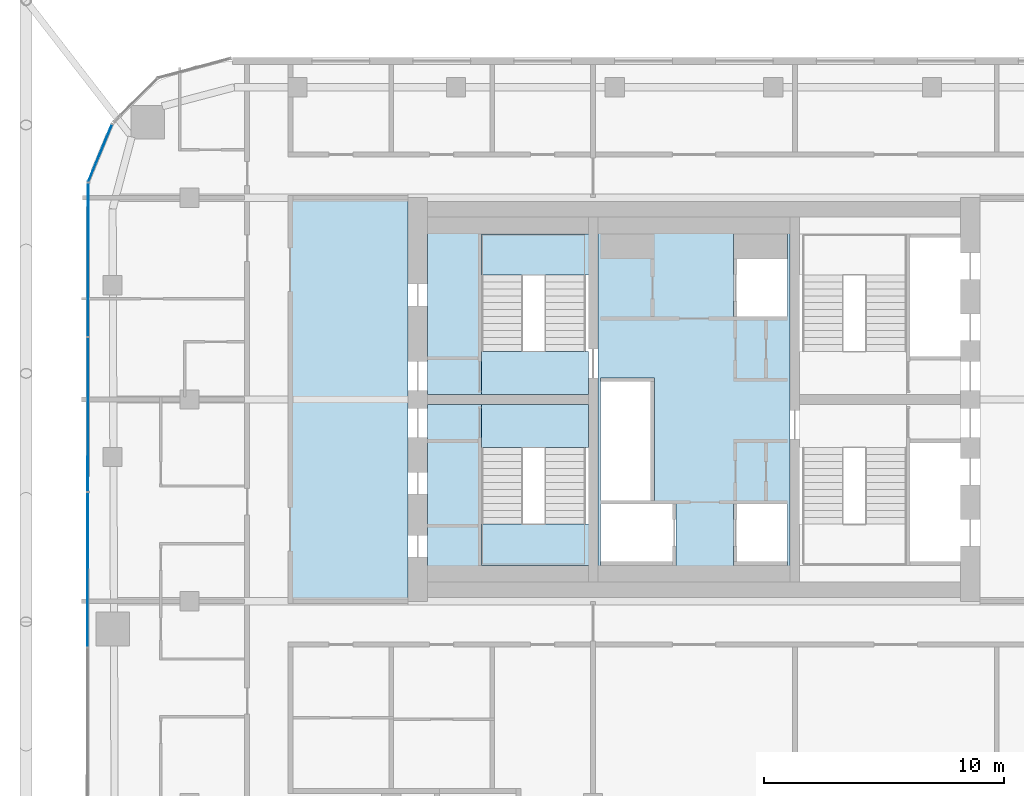
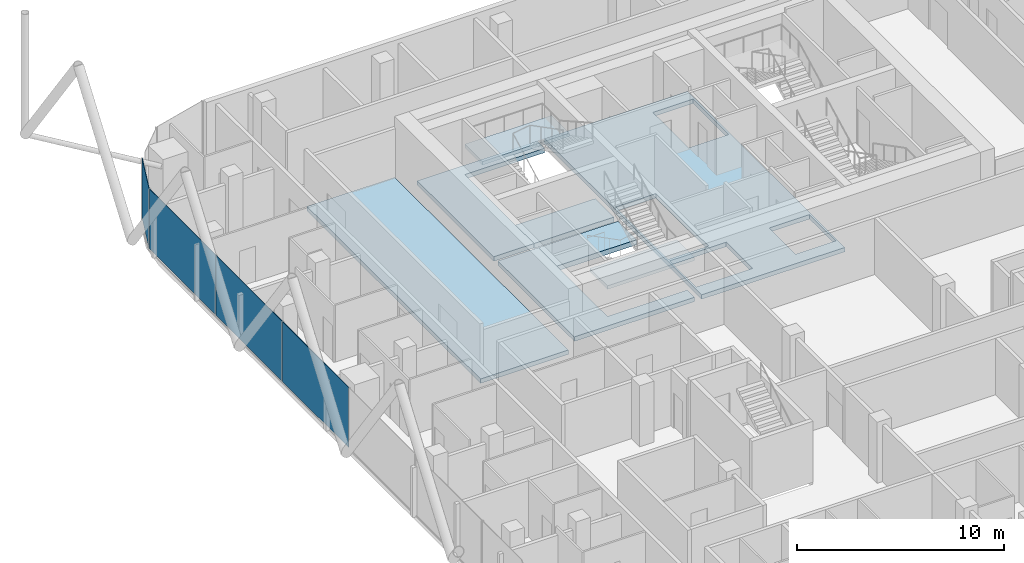
# One storey, part 17 of 28: 8 slabs, 4 plates, 4 elements without a shape of their own.
"""IFC4 building model written with IfcOpenShell, lengths in metres."""

from ifc_helpers import new_model, si_unit, direction, frame, origin, origin_2d, place, context, subcontext, project, spatial, polyline, rectangle, outline, extrude, material, layer, layer_set, type_object, element, aggregate, save


model = new_model("IFC4")

# Units and contexts
model_context = context("Model", 3, precision=1e-05, world=origin(), true_north=direction((0.0, 1.0)))
body_context = subcontext(model_context, "Body", "Model", "MODEL_VIEW")
ifc_project = project(units=[si_unit("LENGTHUNIT", "METRE"), si_unit("AREAUNIT", "SQUARE_METRE"), si_unit("VOLUMEUNIT", "CUBIC_METRE"), si_unit("PLANEANGLEUNIT", "RADIAN"), si_unit("MASSUNIT", "GRAM", prefix="KILO")], contexts=[model_context])

# Site, building, storey
site_placement = place(None, origin())
site = spatial("IfcSite", under=ifc_project, at=site_placement, CompositionType="ELEMENT")
building_placement = place(site_placement, origin())
building = spatial("IfcBuilding", under=site, at=building_placement, Name="Marenta Gate Hotel Tower", CompositionType="ELEMENT")
storey_placement = place(building_placement, frame((0.0, 0.0, 198.5)))
storey = spatial("IfcBuildingStorey", under=building, at=storey_placement, Name="L45", CompositionType="ELEMENT", Elevation=198.5)

# Slabs
ifc_material_1 = material(Name="Concrete C40", Category="concrete")
ifc_layer_1 = layer(ifc_material_1, 0.260009765625)
ifc_layer_set_1 = layer_set([ifc_layer_1], Name="Concrete C40")
slab_type_1 = type_object("IfcSlabType", Name="Core floor slab 260", PredefinedType="FLOOR", material=ifc_layer_set_1)
slab_1_placement = place(storey_placement, frame((0.0, 0.0, -0.260009765625)))
element("IfcSlab", 1, at=slab_1_placement, inside=storey, type_object=slab_type_1, Name="L45-CF-4", PredefinedType="FLOOR", context=body_context, shape_type="SweptSolid", body=[
    extrude(outline(polyline([(4.0, 15.300048828125), (4.0, 10.39990234375), (4.0, 6.39990234375), (4.0, 1.5), (4.0, 0.800048828125), (-4.0, 0.800048828125), (-4.0, 1.5), (-4.0, 6.39990234375), (-4.0, 10.39990234375), (-4.0, 15.300048828125), (-4.0, 16.0), (4.0, 16.0), (4.0, 15.300048828125)]), holes=[polyline([(1.64990234375, 14.25), (1.64990234375, 11.85009765625), (1.800048828125, 11.85009765625), (3.89990234375, 11.85009765625), (3.89990234375, 14.25), (3.89990234375, 15.300048828125), (1.64990234375, 15.300048828125), (1.64990234375, 14.25)]), polyline([(3.89990234375, 1.64990234375), (3.89990234375, 4.050048828125), (1.800048828125, 4.050048828125), (1.64990234375, 4.050048828125), (1.64990234375, 1.64990234375), (1.64990234375, 1.5), (3.89990234375, 1.5), (3.89990234375, 1.64990234375)]), polyline([(-3.89990234375, 1.64990234375), (-3.89990234375, 1.5), (-0.89990234375, 1.5), (-0.75, 1.5), (-0.75, 4.050048828125), (-0.89990234375, 4.050048828125), (-3.89990234375, 4.050048828125), (-3.89990234375, 1.64990234375)]), polyline([(-1.800048828125, 4.199951171875), (-1.64990234375, 4.199951171875), (-1.64990234375, 9.14990234375), (-1.64990234375, 9.300048828125), (-3.89990234375, 9.300048828125), (-3.89990234375, 9.14990234375), (-3.89990234375, 6.75), (-3.89990234375, 6.60009765625), (-3.89990234375, 4.199951171875), (-1.800048828125, 4.199951171875)])]), origin(), (0.0, 0.0, 1.0), 0.260009765625),
])
slab_2_placement = place(storey_placement, frame((0.0, 0.0, -0.260009765625)))
element("IfcSlab", 2, at=slab_2_placement, inside=storey, type_object=slab_type_1, Name="L45-CF-5", PredefinedType="FLOOR", context=body_context, shape_type="SweptSolid", body=[
    extrude(outline(polyline([(-8.85009765625, 8.199951171875), (-8.85009765625, 8.10009765625), (-8.85009765625, 6.39990234375), (-8.85009765625, 1.5), (-4.39990234375, 1.5), (-4.39990234375, 0.800048828125), (-11.10009765625, 0.800048828125), (-11.10009765625, 8.199951171875), (-8.85009765625, 8.199951171875)])), origin(), (0.0, 0.0, 1.0), 0.260009765625),
])
slab_3_placement = place(storey_placement, frame((0.0, 0.0, -0.260009765625)))
element("IfcSlab", 3, at=slab_3_placement, inside=storey, type_object=slab_type_1, Name="L45-CF-6", PredefinedType="FLOOR", context=body_context, shape_type="SweptSolid", body=[
    extrude(outline(polyline([(-4.39990234375, 15.300048828125), (-8.85009765625, 15.300048828125), (-8.85009765625, 10.39990234375), (-8.85009765625, 8.699951171875), (-8.85009765625, 8.60009765625), (-11.10009765625, 8.60009765625), (-11.10009765625, 16.0), (-4.39990234375, 16.0), (-4.39990234375, 15.300048828125)])), origin(), (0.0, 0.0, 1.0), 0.260009765625),
])
slab_4_placement = place(storey_placement, frame((0.0, 0.0, -0.260009765625)))
element("IfcSlab", 4, at=slab_4_placement, inside=storey, type_object=slab_type_1, Name="L45-CF-7", PredefinedType="FLOOR", context=body_context, shape_type="SweptSolid", body=[
    extrude(outline(polyline([(-11.89990234375, 16.800048828125), (-11.89990234375, 0.0), (-16.800048828125, 0.0), (-16.800048828125, 16.800048828125), (-11.89990234375, 16.800048828125)])), origin(), (0.0, 0.0, 1.0), 0.260009765625),
])

# Stair, slab
ifc_material_2 = material(Name="Concrete C40", Category="concrete")
stair_type = type_object("IfcStairType", Name="Core exit stair 1700 wide", PredefinedType="HALF_TURN_STAIR", material=ifc_material_2)
stair_1_placement = place(storey_placement, origin())
stair_1 = element("IfcStair", 5, at=stair_1_placement, inside=storey, type_object=stair_type, Name="Exit stair 1", PredefinedType="HALF_TURN_STAIR")
ifc_material_3 = material(Name="Concrete C40", Category="concrete")
ifc_layer_2 = layer(ifc_material_3, 0.199951171875)
ifc_layer_set_2 = layer_set([ifc_layer_2], Name="Concrete C40")
slab_type_2 = type_object("IfcSlabType", Name="Core stair landing 200", PredefinedType="LANDING", material=ifc_layer_set_2)
slab_5_placement = place(storey_placement, frame((0.0, 0.0, 1.60009765625)))
slab_5 = element("IfcSlab", 6, at=slab_5_placement, type_object=slab_type_2, Name="SL-200 ST1 landing 1", PredefinedType="LANDING", context=body_context, shape_type="SweptSolid", body=[
    extrude(outline(polyline([(-8.85009765625, 1.5), (-4.0, 1.5), (-4.0, 3.2099609375), (-8.85009765625, 3.2099609375), (-8.85009765625, 1.5)])), origin(), (0.0, 0.0, 1.0), 0.199951171875),
])
aggregate(stair_1, [slab_5])

stair_2_placement = place(storey_placement, origin())
stair_2 = element("IfcStair", 7, at=stair_2_placement, inside=storey, type_object=stair_type, Name="Exit stair 2", PredefinedType="HALF_TURN_STAIR")
slab_6_placement = place(storey_placement, frame((0.0, 0.0, 1.60009765625)))
slab_6 = element("IfcSlab", 8, at=slab_6_placement, type_object=slab_type_2, Name="SL-200 ST2 landing 1", PredefinedType="LANDING", context=body_context, shape_type="SweptSolid", body=[
    extrude(outline(polyline([(-8.85009765625, 13.590087890625), (-4.0, 13.590087890625), (-4.0, 15.300048828125), (-8.85009765625, 15.300048828125), (-8.85009765625, 13.590087890625)])), origin(), (0.0, 0.0, 1.0), 0.199951171875),
])
aggregate(stair_2, [slab_6])

# Curtain wall, plate
ifc_material_4 = material(Name="Tinted insulated glass in bronze anodised frame", Category="glass")
ifc_layer_3 = layer(ifc_material_4, 0.1201171875)
ifc_layer_set_3 = layer_set([ifc_layer_3], Name="Tinted insulated glass in bronze anodised frame")
curtain_wall_type = type_object("IfcCurtainWallType", Name="Tower unitised curtain wall CW1", PredefinedType="NOTDEFINED", material=ifc_layer_set_3)
curtain_wall_1_placement = place(storey_placement, origin())
curtain_wall_1 = element("IfcCurtainWall", 9, at=curtain_wall_1_placement, inside=storey, type_object=curtain_wall_type, Name="CW1 run G03", PredefinedType="NOTDEFINED")
ifc_material_5 = material(Name="Tinted insulated glass", Category="glass")
ifc_layer_4 = layer(ifc_material_5, 0.028076171875)
ifc_layer_set_4 = layer_set([ifc_layer_4], Name="Tinted insulated glass")
plate_type = type_object("IfcPlateType", Name="Glass panel CW1 28 mm tinted insulated unit", PredefinedType="CURTAIN_PANEL", material=ifc_layer_set_4)
plate_1_placement = place(storey_placement, frame((-24.719482421875, 18.656005859375, 0.06005859375), z_axis=(0.0, 0.0, 1.0), x_axis=(-0.382666772044, -0.923886433266, 0.0)))
plate_1 = element("IfcPlate", 10, at=plate_1_placement, type_object=plate_type, Name="CW1 panel 1.1", PredefinedType="CURTAIN_PANEL", context=body_context, shape_type="SweptSolid", body=[
    extrude(rectangle(XDim=2.57568359375, YDim=0.028076171875, at=origin_2d()), origin(), (0.0, 0.0, 1.0), 3.5400390625),
])
aggregate(curtain_wall_1, [plate_1])

# Curtain wall, plates
curtain_wall_2_placement = place(storey_placement, origin())
curtain_wall_2 = element("IfcCurtainWall", 11, at=curtain_wall_2_placement, inside=storey, type_object=curtain_wall_type, Name="CW1 run G04", PredefinedType="NOTDEFINED")
plate_2_placement = place(storey_placement, frame((-25.21728515625, 14.22119140625, 0.06005859375), z_axis=(0.0, 0.0, 1.0), x_axis=(-0.001566045546, -0.99999877375, 0.0)))
plate_2 = element("IfcPlate", 12, at=plate_2_placement, type_object=plate_type, Name="CW1 panel 1.1", PredefinedType="CURTAIN_PANEL", context=body_context, shape_type="SweptSolid", body=[
    extrude(rectangle(XDim=6.3701171875, YDim=0.028076171875, at=origin_2d()), origin(), (0.0, 0.0, 1.0), 3.5400390625),
])
plate_3_placement = place(storey_placement, frame((-25.2275390625, 7.776123046875, 0.06005859375), z_axis=(0.0, 0.0, 1.0), x_axis=(-0.001566045546, -0.99999877375, 0.0)))
plate_3 = element("IfcPlate", 13, at=plate_3_placement, type_object=plate_type, Name="CW1 panel 2.1", PredefinedType="CURTAIN_PANEL", context=body_context, shape_type="SweptSolid", body=[
    extrude(rectangle(XDim=6.39990234375, YDim=0.028076171875, at=origin_2d()), origin(), (0.0, 0.0, 1.0), 3.5400390625),
])
plate_4_placement = place(storey_placement, frame((-25.237548828125, 1.316162109375, 0.06005859375), z_axis=(0.0, 0.0, 1.0), x_axis=(-0.001566045546, -0.99999877375, 0.0)))
plate_4 = element("IfcPlate", 14, at=plate_4_placement, type_object=plate_type, Name="CW1 panel 3.1", PredefinedType="CURTAIN_PANEL", context=body_context, shape_type="SweptSolid", body=[
    extrude(rectangle(XDim=6.39990234375, YDim=0.028076171875, at=origin_2d()), origin(), (0.0, 0.0, 1.0), 3.5400390625),
])
aggregate(curtain_wall_2, [plate_2, plate_3, plate_4])

# Slabs
ifc_material_6 = material(Name="Concrete C40", Category="concrete")
ifc_layer_5 = layer(ifc_material_6, 0.300048828125)
ifc_layer_set_5 = layer_set([ifc_layer_5], Name="Concrete C40")
slab_type_3 = type_object("IfcSlabType", Name="Stair floor landing slab 300", PredefinedType="FLOOR", material=ifc_layer_set_5)
slab_7_placement = place(storey_placement, frame((0.0, 0.0, -0.300048828125)))
element("IfcSlab", 15, at=slab_7_placement, inside=storey, type_object=slab_type_3, Name="L45-CL-ST1-1", PredefinedType="FLOOR", context=body_context, shape_type="SweptSolid", body=[
    extrude(outline(polyline([(-4.39990234375, 6.39990234375), (-8.85009765625, 6.39990234375), (-8.85009765625, 8.10009765625), (-8.85009765625, 8.199951171875), (-4.39990234375, 8.199951171875), (-4.39990234375, 6.39990234375)])), origin(), (0.0, 0.0, 1.0), 0.300048828125),
])
slab_8_placement = place(storey_placement, frame((0.0, 0.0, -0.300048828125)))
element("IfcSlab", 16, at=slab_8_placement, inside=storey, type_object=slab_type_3, Name="L45-CL-ST2-1", PredefinedType="FLOOR", context=body_context, shape_type="SweptSolid", body=[
    extrude(outline(polyline([(-4.39990234375, 8.60009765625), (-8.85009765625, 8.60009765625), (-8.85009765625, 8.699951171875), (-8.85009765625, 10.39990234375), (-4.39990234375, 10.39990234375), (-4.39990234375, 8.60009765625)])), origin(), (0.0, 0.0, 1.0), 0.300048828125),
])

save(model, "model.ifc")
